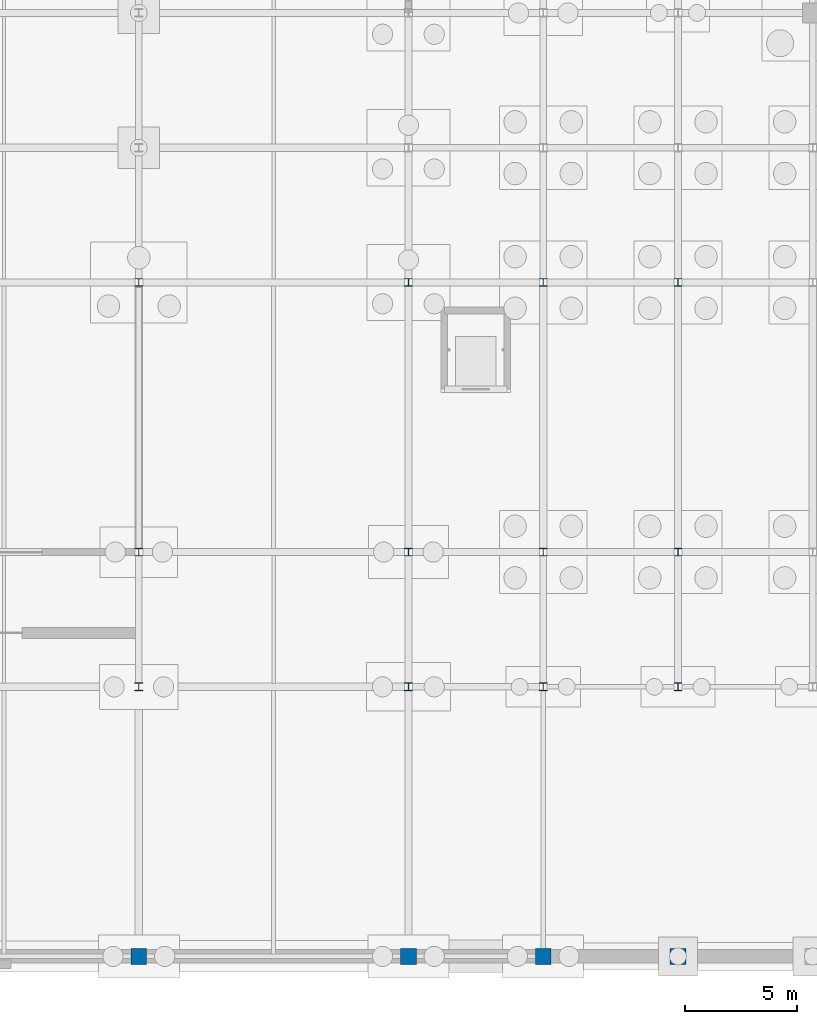
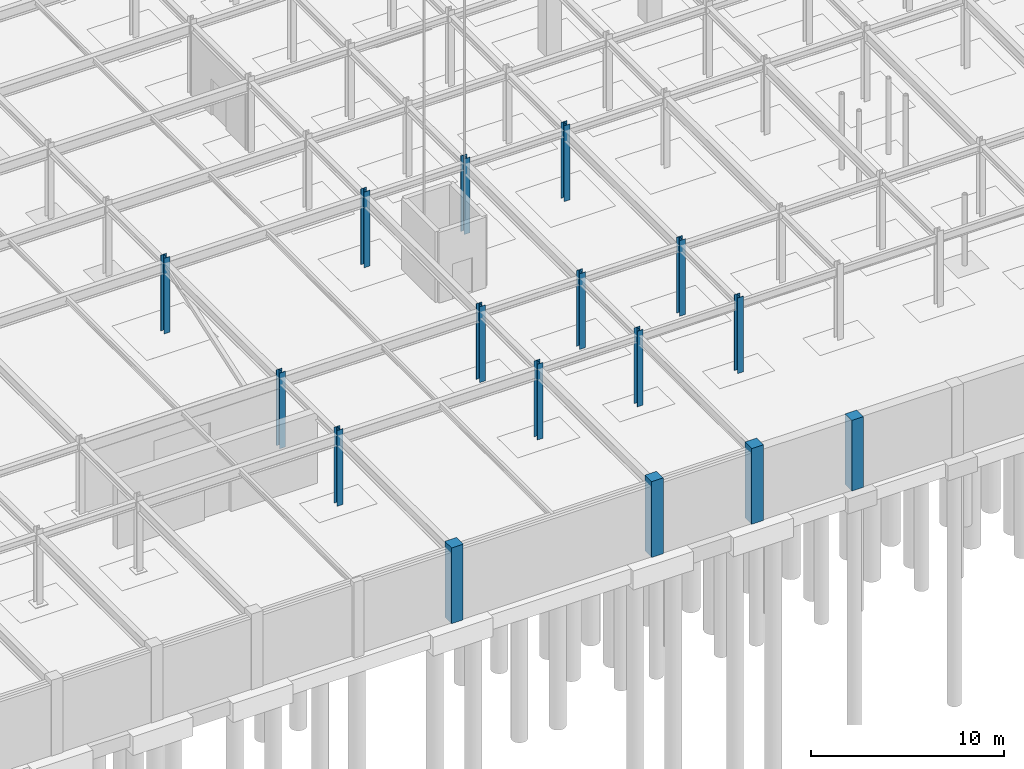
# One storey, part 13 of 69: 16 columns.
"""IFC4 building model written with IfcOpenShell, lengths in metres."""

from ifc_helpers import new_model, si_unit, direction, frame, origin, origin_2d, place, context, subcontext, project, spatial, rectangle, i_section, extrude, material, material_profile, profile_set, type_object, element, save


model = new_model("IFC4")

# Units and contexts
model_context = context("Model", 3, precision=1e-05, world=origin(), true_north=direction((0.0, 1.0)))
body_context = subcontext(model_context, "Body", "Model", "MODEL_VIEW")
ifc_project = project(units=[si_unit("LENGTHUNIT", "METRE"), si_unit("AREAUNIT", "SQUARE_METRE"), si_unit("VOLUMEUNIT", "CUBIC_METRE"), si_unit("PLANEANGLEUNIT", "RADIAN"), si_unit("MASSUNIT", "GRAM", prefix="KILO")], contexts=[model_context])

# Site, building, storey
site_placement = place(None, origin())
site = spatial("IfcSite", under=ifc_project, at=site_placement, CompositionType="ELEMENT")
building_placement = place(site_placement, origin())
building = spatial("IfcBuilding", under=site, at=building_placement, Name="Zlatovratsky Civic Hall", CompositionType="ELEMENT")
storey_placement = place(building_placement, frame((0.0, 0.0, -4.800048828125)))
storey = spatial("IfcBuildingStorey", under=building, at=storey_placement, Name="B1", CompositionType="ELEMENT", Elevation=-4.800048828125)

# Columns
ifc_material_1 = material(Name="Concrete C35/45 (B40)", Category="concrete")
ifc_material_profile_1 = material_profile(ifc_material_1, rectangle(XDim=0.699951171875, YDim=0.699951171875, at=origin_2d()), Name="RC 700x700")
ifc_profile_set_1 = profile_set([ifc_material_profile_1], Name="Concrete C35/45 (B40)")
column_type_1 = type_object("IfcColumnType", Name="Col_CorePier_RC700", PredefinedType="COLUMN", material=ifc_profile_set_1)
for number, where, z_axis, x_axis, name in (
    (1, (36.0, 0.0, 0.0), (0.0, 0.0, 1.0), (1.0, 0.0, 0.0), "CL-0007"),
    (2, (48.0, 0.0, 0.0), (0.0, 0.0, 1.0), (1.0, 0.0, 0.0), "CL-0008"),
    (3, (54.0, 0.0, 0.0), (0.0, 0.0, 1.0), (1.0, 0.0, 0.0), "CL-0009"),
):
    element("IfcColumn", number, at=place(storey_placement, frame(where, z_axis=z_axis, x_axis=x_axis)), inside=storey, type_object=column_type_1, Name=name, PredefinedType="COLUMN", context=body_context, shape_type="SweptSolid", body=[
        extrude(rectangle(XDim=0.699951171875, YDim=0.699951171875, at=origin_2d()), origin(), (0.0, 0.0, 1.0), 4.800048828125),
    ])
column_placement = place(storey_placement, frame((60.0, 0.0, 0.0), z_axis=(0.0, 0.0, 1.0), x_axis=(1.0, 0.0, 0.0)))
element("IfcColumn", 4, at=column_placement, inside=storey, type_object=column_type_1, Name="CL-0010", PredefinedType="COLUMN", context=body_context, shape_type="SweptSolid", body=[
    extrude(rectangle(XDim=0.699951171875, YDim=0.699951171875, at=origin_2d()), origin(), (0.0, 0.0, 1.0), 4.47998046875),
])
ifc_material_2 = material(Name="Steel S355", Category="steel")
ifc_material_profile_2 = material_profile(ifc_material_2, i_section(OverallWidth=0.35009765625, OverallDepth=0.35009765625, WebThickness=0.011962890625, FlangeThickness=0.01904296875, FilletRadius=0.02001953125, at=origin_2d()), Name="35K2")
ifc_profile_set_2 = profile_set([ifc_material_profile_2], Name="Steel S355")
column_type_2 = type_object("IfcColumnType", Name="Col_Steel_35K2", PredefinedType="COLUMN", material=ifc_profile_set_2)
for number, where, z_axis, x_axis, name in (
    (5, (36.0, 12.0, 0.0), (0.0, 0.0, 1.0), (1.0, 0.0, 0.0), "CL-0030"),
    (6, (48.0, 12.0, 0.0), (0.0, 0.0, 1.0), (1.0, 0.0, 0.0), "CL-0031"),
    (7, (54.0, 12.0, 0.0), (0.0, 0.0, 1.0), (1.0, 0.0, 0.0), "CL-0032"),
    (8, (60.0, 12.0, 0.0), (0.0, 0.0, 1.0), (1.0, 0.0, 0.0), "CL-0033"),
    (9, (36.0, 18.0, 0.0), (0.0, 0.0, 1.0), (1.0, 0.0, 0.0), "CL-0053"),
    (10, (48.0, 18.0, 0.0), (0.0, 0.0, 1.0), (1.0, 0.0, 0.0), "CL-0054"),
    (11, (54.0, 18.0, 0.0), (0.0, 0.0, 1.0), (1.0, 0.0, 0.0), "CL-0055"),
    (12, (60.0, 18.0, 0.0), (0.0, 0.0, 1.0), (1.0, 0.0, 0.0), "CL-0056"),
    (13, (36.0, 30.0, 0.0), (0.0, 0.0, 1.0), (1.0, 0.0, 0.0), "CL-0076"),
    (14, (48.0, 30.0, 0.0), (0.0, 0.0, 1.0), (1.0, 0.0, 0.0), "CL-0077"),
    (15, (54.0, 30.0, 0.0), (0.0, 0.0, 1.0), (1.0, 0.0, 0.0), "CL-0078"),
    (16, (60.0, 30.0, 0.0), (0.0, 0.0, 1.0), (1.0, 0.0, 0.0), "CL-0079"),
):
    element("IfcColumn", number, at=place(storey_placement, frame(where, z_axis=z_axis, x_axis=x_axis)), inside=storey, type_object=column_type_2, Name=name, PredefinedType="COLUMN", context=body_context, shape_type="SweptSolid", body=[
        extrude(i_section(OverallWidth=0.35009765625, OverallDepth=0.35009765625, WebThickness=0.011962890625, FlangeThickness=0.01904296875, FilletRadius=0.02001953125, at=origin_2d()), origin(), (0.0, 0.0, 1.0), 4.800048828125),
    ])

save(model, "model.ifc")
